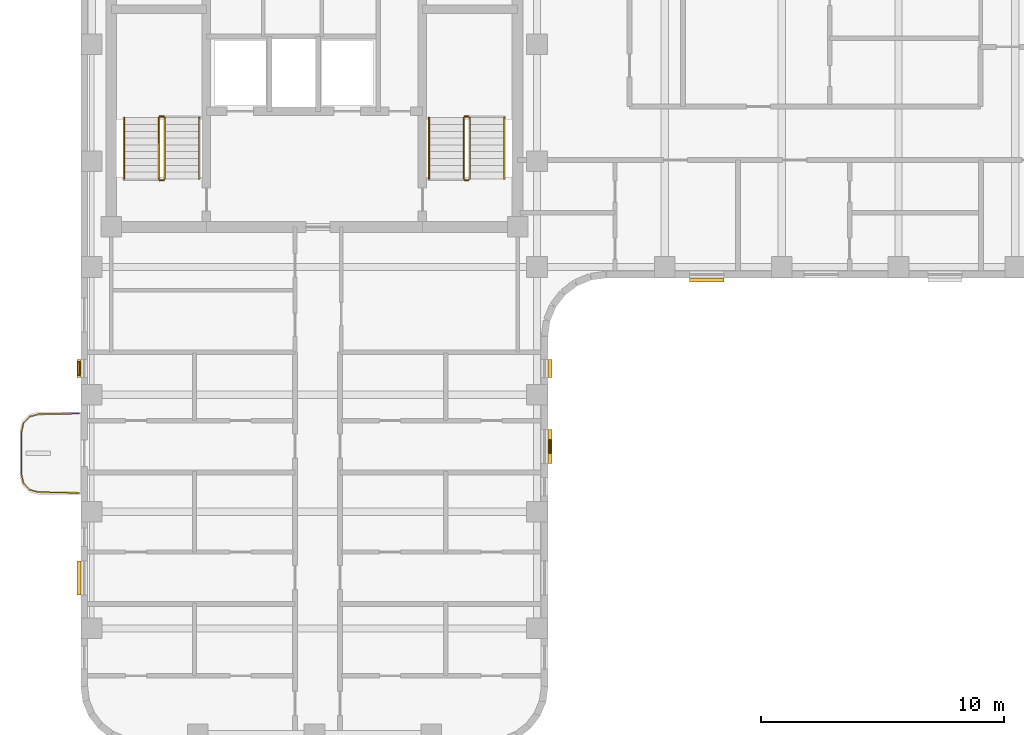
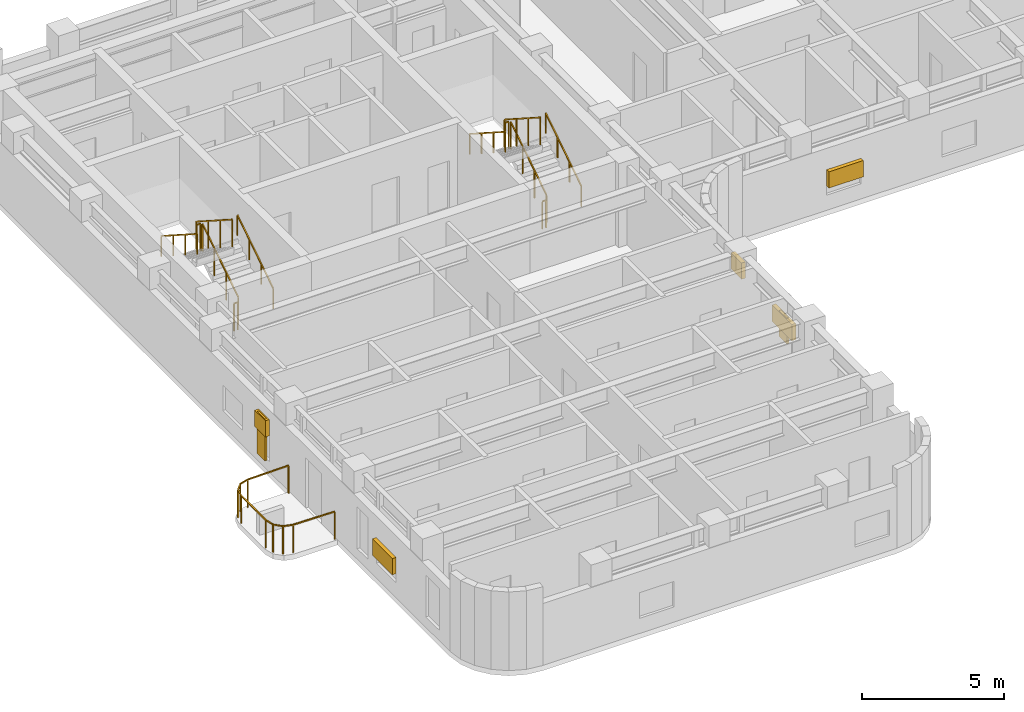
# One storey, part 8 of 10: 13 railings, 7 shading devices.
"""IFC4 building model written with IfcOpenShell, lengths in metres."""

from ifc_helpers import new_model, si_unit, direction, frame, origin, origin_2d, place, context, subcontext, project, spatial, rectangle, extrude, material, type_object, element, save


model = new_model("IFC4")

# Units and contexts
model_context = context("Model", 3, precision=1e-05, world=origin(), true_north=direction((0.0, 1.0)))
body_context = subcontext(model_context, "Body", "Model", "MODEL_VIEW")
ifc_project = project(units=[si_unit("LENGTHUNIT", "METRE"), si_unit("AREAUNIT", "SQUARE_METRE"), si_unit("VOLUMEUNIT", "CUBIC_METRE"), si_unit("PLANEANGLEUNIT", "RADIAN"), si_unit("MASSUNIT", "GRAM", prefix="KILO")], contexts=[model_context])

# Site, building, storey
site_placement = place(None, origin())
site = spatial("IfcSite", under=ifc_project, at=site_placement, CompositionType="ELEMENT")
building_placement = place(site_placement, origin())
building = spatial("IfcBuilding", under=site, at=building_placement, Name="Orvandelia Arch Residences", CompositionType="ELEMENT")
storey_placement = place(building_placement, frame((0.0, 0.0, 211.0)))
storey = spatial("IfcBuildingStorey", under=building, at=storey_placement, Name="L55", CompositionType="ELEMENT", Elevation=211.0)

# Railings
ifc_material_1 = material(Name="Marine-Grade Stainless Steel 316", Category="steel")
railing_type_1 = type_object("IfcRailingType", Name="GRD-BAL-1200", PredefinedType="BALUSTRADE", material=ifc_material_1)
railing_1_placement = place(storey_placement, frame((4.728271484375, 23.23046875, 0.0)))
element("IfcRailing", 1, at=railing_1_placement, inside=storey, type_object=railing_type_1, Name="Safety Balustrade Guard GRD-L55-BAL-L55-W1-1", PredefinedType="BALUSTRADE", context=body_context, shape_type="SweptSolid", body=[
    extrude(rectangle(XDim=0.048095703125, YDim=0.048095703125, at=origin_2d()), frame((0.0, 0.0, 1.19580078125), z_axis=(-0.999834751713, -0.018178813668, 0.0), x_axis=(0.018178813668, -0.999834751713, 0.0)), (0.0, 0.0, 1.0), 1.6787109375),
    extrude(rectangle(XDim=0.048095703125, YDim=0.048095703125, at=origin_2d()), frame((-1.678466796875, -0.030517578125, 1.19580078125), z_axis=(-0.96348920644, -0.267747173792, 0.0), x_axis=(0.267747173792, -0.96348920644, 0.0)), (0.0, 0.0, 1.0), 0.36572265625),
    extrude(rectangle(XDim=0.048095703125, YDim=0.048095703125, at=origin_2d()), frame((-2.03076171875, -0.12841796875, 1.19580078125), z_axis=(-0.688627404251, -0.725115368831, 0.0), x_axis=(0.725115368831, -0.688627404251, 0.0)), (0.0, 0.0, 1.0), 0.367919921875),
    extrude(rectangle(XDim=0.048095703125, YDim=0.048095703125, at=origin_2d()), frame((-2.2841796875, -0.395263671875, 1.19580078125), z_axis=(-0.220461657419, -0.975395641577, 0.0), x_axis=(0.975395641577, -0.220461657419, 0.0)), (0.0, 0.0, 1.0), 0.373291015625),
    extrude(rectangle(XDim=0.048095703125, YDim=0.048095703125, at=origin_2d()), frame((-2.366455078125, -0.75927734375, 1.19580078125), z_axis=(0.0, -1.0, 0.0), x_axis=(1.0, 0.0, 0.0)), (0.0, 0.0, 1.0), 1.742431640625),
    extrude(rectangle(XDim=0.048095703125, YDim=0.048095703125, at=origin_2d()), frame((-2.366455078125, -2.501708984375, 1.19580078125), z_axis=(0.220602419982, -0.975363815352, 0.0), x_axis=(0.975363815352, 0.220602419982, 0.0)), (0.0, 0.0, 1.0), 0.373046875),
    extrude(rectangle(XDim=0.048095703125, YDim=0.048095703125, at=origin_2d()), frame((-2.2841796875, -2.865478515625, 1.19580078125), z_axis=(0.688296224633, -0.725429739642, 0.0), x_axis=(0.725429739642, 0.688296224633, 0.0)), (0.0, 0.0, 1.0), 0.3681640625),
    extrude(rectangle(XDim=0.048095703125, YDim=0.048095703125, at=origin_2d()), frame((-2.03076171875, -3.132568359375, 1.19580078125), z_axis=(0.96348920644, -0.267747173792, 0.0), x_axis=(0.267747173792, 0.96348920644, 0.0)), (0.0, 0.0, 1.0), 0.36572265625),
    extrude(rectangle(XDim=0.048095703125, YDim=0.048095703125, at=origin_2d()), frame((-1.678466796875, -3.23046875, 1.19580078125), z_axis=(0.999834751713, -0.018178813668, 0.0), x_axis=(0.018178813668, 0.999834751713, 0.0)), (0.0, 0.0, 1.0), 1.6787109375),
    extrude(rectangle(XDim=0.0419921875, YDim=0.0419921875, at=origin_2d()), origin(), (0.0, 0.0, 1.0), 1.171875),
    extrude(rectangle(XDim=0.0419921875, YDim=0.0419921875, at=origin_2d()), frame((-1.678466796875, -0.030517578125, 0.0)), (0.0, 0.0, 1.0), 1.171875),
    extrude(rectangle(XDim=0.0419921875, YDim=0.0419921875, at=origin_2d()), frame((-2.03076171875, -0.12841796875, 0.0)), (0.0, 0.0, 1.0), 1.171875),
    extrude(rectangle(XDim=0.0419921875, YDim=0.0419921875, at=origin_2d()), frame((-2.2841796875, -0.395263671875, 0.0)), (0.0, 0.0, 1.0), 1.171875),
    extrude(rectangle(XDim=0.0419921875, YDim=0.0419921875, at=origin_2d()), frame((-2.366455078125, -0.75927734375, 0.0)), (0.0, 0.0, 1.0), 1.171875),
    extrude(rectangle(XDim=0.0419921875, YDim=0.0419921875, at=origin_2d()), frame((-2.366455078125, -2.501708984375, 0.0)), (0.0, 0.0, 1.0), 1.171875),
    extrude(rectangle(XDim=0.0419921875, YDim=0.0419921875, at=origin_2d()), frame((-2.2841796875, -2.865478515625, 0.0)), (0.0, 0.0, 1.0), 1.171875),
    extrude(rectangle(XDim=0.0419921875, YDim=0.0419921875, at=origin_2d()), frame((-2.03076171875, -3.132568359375, 0.0)), (0.0, 0.0, 1.0), 1.171875),
    extrude(rectangle(XDim=0.0419921875, YDim=0.0419921875, at=origin_2d()), frame((-1.678466796875, -3.23046875, 0.0)), (0.0, 0.0, 1.0), 1.171875),
    extrude(rectangle(XDim=0.0419921875, YDim=0.0419921875, at=origin_2d()), frame((0.0, -3.260986328125, 0.0)), (0.0, 0.0, 1.0), 1.171875),
])
ifc_material_2 = material(Name="Brushed Stainless Steel 304", Category="steel")
railing_type_2 = type_object("IfcRailingType", Name="RL-STAIR-GD1120", PredefinedType="GUARDRAIL", material=ifc_material_2)
railing_2_placement = place(storey_placement, frame((8.25, 32.8701171875, 0.179931640625)))
element("IfcRailing", 2, at=railing_2_placement, inside=storey, type_object=railing_type_2, Name="L55 ST-1 stair guard 1", PredefinedType="GUARDRAIL", context=body_context, shape_type="SweptSolid", body=[
    extrude(rectangle(XDim=0.048095703125, YDim=0.048095703125, at=origin_2d()), frame((0.0, 0.0, 1.17578125), z_axis=(0.0, 0.841138753965, 0.540819375188), x_axis=(-1.0, 0.0, 0.0)), (0.0, 0.0, 1.0), 2.99560546875),
    extrude(rectangle(XDim=0.0419921875, YDim=0.0419921875, at=origin_2d()), origin(), (0.0, 0.0, 1.0), 1.15185546875),
    extrude(rectangle(XDim=0.0419921875, YDim=0.0419921875, at=origin_2d()), frame((0.0, 0.83984375, 0.5400390625)), (0.0, 0.0, 1.0), 1.15185546875),
    extrude(rectangle(XDim=0.0419921875, YDim=0.0419921875, at=origin_2d()), frame((0.0, 1.679931640625, 1.080078125)), (0.0, 0.0, 1.0), 1.15185546875),
    extrude(rectangle(XDim=0.0419921875, YDim=0.0419921875, at=origin_2d()), frame((0.0, 2.519775390625, 1.6201171875)), (0.0, 0.0, 1.0), 1.15185546875),
])
railing_3_placement = place(storey_placement, frame((8.199951171875, 35.43994140625, 1.800048828125)))
element("IfcRailing", 3, at=railing_3_placement, inside=storey, type_object=railing_type_2, Name="L55 ST-1 stair guard 2", PredefinedType="GUARDRAIL", context=body_context, shape_type="SweptSolid", body=[
    extrude(rectangle(XDim=0.048095703125, YDim=0.048095703125, at=origin_2d()), frame((0.0, 0.0, 1.17578125), z_axis=(-1.0, 0.0, 0.0), x_axis=(0.0, -1.0, 0.0)), (0.0, 0.0, 1.0), 0.14990234375),
    extrude(rectangle(XDim=0.0419921875, YDim=0.0419921875, at=origin_2d()), origin(), (0.0, 0.0, 1.0), 1.15185546875),
    extrude(rectangle(XDim=0.0419921875, YDim=0.0419921875, at=origin_2d()), frame((-0.14990234375, 0.0, 0.0)), (0.0, 0.0, 1.0), 1.15185546875),
])
railing_4_placement = place(storey_placement, frame((8.0, 35.389892578125, 1.97998046875)))
element("IfcRailing", 4, at=railing_4_placement, inside=storey, type_object=railing_type_2, Name="L55 ST-1 stair guard 3", PredefinedType="GUARDRAIL", context=body_context, shape_type="SweptSolid", body=[
    extrude(rectangle(XDim=0.048095703125, YDim=0.048095703125, at=origin_2d()), frame((0.0, 0.0, 1.17578125), z_axis=(0.0, -0.841138753965, 0.540819375188), x_axis=(1.0, 0.0, 0.0)), (0.0, 0.0, 1.0), 2.99560546875),
    extrude(rectangle(XDim=0.0419921875, YDim=0.0419921875, at=origin_2d()), origin(), (0.0, 0.0, 1.0), 1.15185546875),
    extrude(rectangle(XDim=0.0419921875, YDim=0.0419921875, at=origin_2d()), frame((0.0, -0.83984375, 0.5400390625)), (0.0, 0.0, 1.0), 1.15185546875),
    extrude(rectangle(XDim=0.0419921875, YDim=0.0419921875, at=origin_2d()), frame((0.0, -1.679931640625, 1.080078125)), (0.0, 0.0, 1.0), 1.15185546875),
    extrude(rectangle(XDim=0.0419921875, YDim=0.0419921875, at=origin_2d()), frame((0.0, -2.519775390625, 1.6201171875)), (0.0, 0.0, 1.0), 1.15185546875),
])
railing_5_placement = place(storey_placement, frame((8.199951171875, 32.820068359375, 0.0)))
element("IfcRailing", 5, at=railing_5_placement, inside=storey, type_object=railing_type_2, Name="L55 ST-1 stair guard 4", PredefinedType="GUARDRAIL", context=body_context, shape_type="SweptSolid", body=[
    extrude(rectangle(XDim=0.048095703125, YDim=0.048095703125, at=origin_2d()), frame((0.0, 0.0, 1.17578125), z_axis=(-1.0, 0.0, 0.0), x_axis=(0.0, -1.0, 0.0)), (0.0, 0.0, 1.0), 0.14990234375),
    extrude(rectangle(XDim=0.0419921875, YDim=0.0419921875, at=origin_2d()), origin(), (0.0, 0.0, 1.0), 1.15185546875),
    extrude(rectangle(XDim=0.0419921875, YDim=0.0419921875, at=origin_2d()), frame((-0.14990234375, 0.0, 0.0)), (0.0, 0.0, 1.0), 1.15185546875),
])
railing_6_placement = place(storey_placement, frame((20.780029296875, 32.8701171875, 0.179931640625)))
element("IfcRailing", 6, at=railing_6_placement, inside=storey, type_object=railing_type_2, Name="L55 ST-2 stair guard 1", PredefinedType="GUARDRAIL", context=body_context, shape_type="SweptSolid", body=[
    extrude(rectangle(XDim=0.048095703125, YDim=0.048095703125, at=origin_2d()), frame((0.0, 0.0, 1.17578125), z_axis=(0.0, 0.841138753965, 0.540819375188), x_axis=(-1.0, 0.0, 0.0)), (0.0, 0.0, 1.0), 2.99560546875),
    extrude(rectangle(XDim=0.0419921875, YDim=0.0419921875, at=origin_2d()), origin(), (0.0, 0.0, 1.0), 1.15185546875),
    extrude(rectangle(XDim=0.0419921875, YDim=0.0419921875, at=origin_2d()), frame((0.0, 0.83984375, 0.5400390625)), (0.0, 0.0, 1.0), 1.15185546875),
    extrude(rectangle(XDim=0.0419921875, YDim=0.0419921875, at=origin_2d()), frame((0.0, 1.679931640625, 1.080078125)), (0.0, 0.0, 1.0), 1.15185546875),
    extrude(rectangle(XDim=0.0419921875, YDim=0.0419921875, at=origin_2d()), frame((0.0, 2.519775390625, 1.6201171875)), (0.0, 0.0, 1.0), 1.15185546875),
])
railing_7_placement = place(storey_placement, frame((20.72998046875, 35.43994140625, 1.800048828125)))
element("IfcRailing", 7, at=railing_7_placement, inside=storey, type_object=railing_type_2, Name="L55 ST-2 stair guard 2", PredefinedType="GUARDRAIL", context=body_context, shape_type="SweptSolid", body=[
    extrude(rectangle(XDim=0.048095703125, YDim=0.048095703125, at=origin_2d()), frame((0.0, 0.0, 1.17578125), z_axis=(-1.0, 0.0, 0.0), x_axis=(0.0, -1.0, 0.0)), (0.0, 0.0, 1.0), 0.14990234375),
    extrude(rectangle(XDim=0.0419921875, YDim=0.0419921875, at=origin_2d()), origin(), (0.0, 0.0, 1.0), 1.15185546875),
    extrude(rectangle(XDim=0.0419921875, YDim=0.0419921875, at=origin_2d()), frame((-0.14990234375, 0.0, 0.0)), (0.0, 0.0, 1.0), 1.15185546875),
])
railing_8_placement = place(storey_placement, frame((20.530029296875, 35.389892578125, 1.97998046875)))
element("IfcRailing", 8, at=railing_8_placement, inside=storey, type_object=railing_type_2, Name="L55 ST-2 stair guard 3", PredefinedType="GUARDRAIL", context=body_context, shape_type="SweptSolid", body=[
    extrude(rectangle(XDim=0.048095703125, YDim=0.048095703125, at=origin_2d()), frame((0.0, 0.0, 1.17578125), z_axis=(0.0, -0.841138753965, 0.540819375188), x_axis=(1.0, 0.0, 0.0)), (0.0, 0.0, 1.0), 2.99560546875),
    extrude(rectangle(XDim=0.0419921875, YDim=0.0419921875, at=origin_2d()), origin(), (0.0, 0.0, 1.0), 1.15185546875),
    extrude(rectangle(XDim=0.0419921875, YDim=0.0419921875, at=origin_2d()), frame((0.0, -0.83984375, 0.5400390625)), (0.0, 0.0, 1.0), 1.15185546875),
    extrude(rectangle(XDim=0.0419921875, YDim=0.0419921875, at=origin_2d()), frame((0.0, -1.679931640625, 1.080078125)), (0.0, 0.0, 1.0), 1.15185546875),
    extrude(rectangle(XDim=0.0419921875, YDim=0.0419921875, at=origin_2d()), frame((0.0, -2.519775390625, 1.6201171875)), (0.0, 0.0, 1.0), 1.15185546875),
])
railing_9_placement = place(storey_placement, frame((20.72998046875, 32.820068359375, 0.0)))
element("IfcRailing", 9, at=railing_9_placement, inside=storey, type_object=railing_type_2, Name="L55 ST-2 stair guard 4", PredefinedType="GUARDRAIL", context=body_context, shape_type="SweptSolid", body=[
    extrude(rectangle(XDim=0.048095703125, YDim=0.048095703125, at=origin_2d()), frame((0.0, 0.0, 1.17578125), z_axis=(-1.0, 0.0, 0.0), x_axis=(0.0, -1.0, 0.0)), (0.0, 0.0, 1.0), 0.14990234375),
    extrude(rectangle(XDim=0.0419921875, YDim=0.0419921875, at=origin_2d()), origin(), (0.0, 0.0, 1.0), 1.15185546875),
    extrude(rectangle(XDim=0.0419921875, YDim=0.0419921875, at=origin_2d()), frame((-0.14990234375, 0.0, 0.0)), (0.0, 0.0, 1.0), 1.15185546875),
])
railing_type_3 = type_object("IfcRailingType", Name="RL-STAIR-HR920", PredefinedType="HANDRAIL", material=ifc_material_2)
railing_10_placement = place(storey_placement, frame((9.669921875, 32.8701171875, 0.360107421875)))
element("IfcRailing", 10, at=railing_10_placement, inside=storey, type_object=railing_type_3, Name="L55 ST-1 stair handrail 1", PredefinedType="HANDRAIL", context=body_context, shape_type="SweptSolid", body=[
    extrude(rectangle(XDim=0.048095703125, YDim=0.048095703125, at=origin_2d()), frame((0.0, 0.0, 0.8759765625), z_axis=(0.0, 0.841175827307, 0.540761710511), x_axis=(-1.0, 0.0, 0.0)), (0.0, 0.0, 1.0), 2.99560546875),
    extrude(rectangle(XDim=0.0419921875, YDim=0.0419921875, at=origin_2d()), origin(), (0.0, 0.0, 1.0), 0.851806640625),
    extrude(rectangle(XDim=0.0419921875, YDim=0.0419921875, at=origin_2d()), frame((0.0, 0.83984375, 0.5400390625)), (0.0, 0.0, 1.0), 0.851806640625),
    extrude(rectangle(XDim=0.0419921875, YDim=0.0419921875, at=origin_2d()), frame((0.0, 1.679931640625, 1.079833984375)), (0.0, 0.0, 1.0), 0.851806640625),
    extrude(rectangle(XDim=0.0419921875, YDim=0.0419921875, at=origin_2d()), frame((0.0, 2.519775390625, 1.619873046875)), (0.0, 0.0, 1.0), 0.851806640625),
])
railing_11_placement = place(storey_placement, frame((6.580078125, 35.389892578125, 2.159912109375)))
element("IfcRailing", 11, at=railing_11_placement, inside=storey, type_object=railing_type_3, Name="L55 ST-1 stair handrail 2", PredefinedType="HANDRAIL", context=body_context, shape_type="SweptSolid", body=[
    extrude(rectangle(XDim=0.048095703125, YDim=0.048095703125, at=origin_2d()), frame((0.0, 0.0, 0.8759765625), z_axis=(0.0, -0.841138753965, 0.540819375188), x_axis=(1.0, 0.0, 0.0)), (0.0, 0.0, 1.0), 2.99560546875),
    extrude(rectangle(XDim=0.0419921875, YDim=0.0419921875, at=origin_2d()), origin(), (0.0, 0.0, 1.0), 0.851806640625),
    extrude(rectangle(XDim=0.0419921875, YDim=0.0419921875, at=origin_2d()), frame((0.0, -0.83984375, 0.5400390625)), (0.0, 0.0, 1.0), 0.851806640625),
    extrude(rectangle(XDim=0.0419921875, YDim=0.0419921875, at=origin_2d()), frame((0.0, -1.679931640625, 1.080078125)), (0.0, 0.0, 1.0), 0.851806640625),
    extrude(rectangle(XDim=0.0419921875, YDim=0.0419921875, at=origin_2d()), frame((0.0, -2.519775390625, 1.6201171875)), (0.0, 0.0, 1.0), 0.851806640625),
])
railing_12_placement = place(storey_placement, frame((22.199951171875, 32.8701171875, 0.360107421875)))
element("IfcRailing", 12, at=railing_12_placement, inside=storey, type_object=railing_type_3, Name="L55 ST-2 stair handrail 1", PredefinedType="HANDRAIL", context=body_context, shape_type="SweptSolid", body=[
    extrude(rectangle(XDim=0.048095703125, YDim=0.048095703125, at=origin_2d()), frame((0.0, 0.0, 0.8759765625), z_axis=(0.0, 0.841175827307, 0.540761710511), x_axis=(-1.0, 0.0, 0.0)), (0.0, 0.0, 1.0), 2.99560546875),
    extrude(rectangle(XDim=0.0419921875, YDim=0.0419921875, at=origin_2d()), origin(), (0.0, 0.0, 1.0), 0.851806640625),
    extrude(rectangle(XDim=0.0419921875, YDim=0.0419921875, at=origin_2d()), frame((0.0, 0.83984375, 0.5400390625)), (0.0, 0.0, 1.0), 0.851806640625),
    extrude(rectangle(XDim=0.0419921875, YDim=0.0419921875, at=origin_2d()), frame((0.0, 1.679931640625, 1.079833984375)), (0.0, 0.0, 1.0), 0.851806640625),
    extrude(rectangle(XDim=0.0419921875, YDim=0.0419921875, at=origin_2d()), frame((0.0, 2.519775390625, 1.619873046875)), (0.0, 0.0, 1.0), 0.851806640625),
])
railing_13_placement = place(storey_placement, frame((19.110107421875, 35.389892578125, 2.159912109375)))
element("IfcRailing", 13, at=railing_13_placement, inside=storey, type_object=railing_type_3, Name="L55 ST-2 stair handrail 2", PredefinedType="HANDRAIL", context=body_context, shape_type="SweptSolid", body=[
    extrude(rectangle(XDim=0.048095703125, YDim=0.048095703125, at=origin_2d()), frame((0.0, 0.0, 0.8759765625), z_axis=(0.0, -0.841138753965, 0.540819375188), x_axis=(1.0, 0.0, 0.0)), (0.0, 0.0, 1.0), 2.99560546875),
    extrude(rectangle(XDim=0.0419921875, YDim=0.0419921875, at=origin_2d()), origin(), (0.0, 0.0, 1.0), 0.851806640625),
    extrude(rectangle(XDim=0.0419921875, YDim=0.0419921875, at=origin_2d()), frame((0.0, -0.83984375, 0.5400390625)), (0.0, 0.0, 1.0), 0.851806640625),
    extrude(rectangle(XDim=0.0419921875, YDim=0.0419921875, at=origin_2d()), frame((0.0, -1.679931640625, 1.080078125)), (0.0, 0.0, 1.0), 0.851806640625),
    extrude(rectangle(XDim=0.0419921875, YDim=0.0419921875, at=origin_2d()), frame((0.0, -2.519775390625, 1.6201171875)), (0.0, 0.0, 1.0), 0.851806640625),
])

# Shading devices
ifc_material_3 = material(Name="Anodised Champagne-Bronze Extruded Aluminium", Category="aluminium")
shading_device_type_1 = type_object("IfcShadingDeviceType", Name="SHD-JALOUSIE-SCREEN", PredefinedType="JALOUSIE", material=ifc_material_3)
for number, where, z_axis, x_axis, name in (
    (14, (30.5224609375, 28.719970703125, 1.0498046875), (0.0, 0.0, 1.0), (-1.0, 0.0, 0.0), "Bronze Jalousie Sun-Shade L55-004"),
    (15, (24.080078125, 21.8701171875, 1.0498046875), (0.0, 0.0, 1.0), (0.0, -1.0, 0.0), "Bronze Jalousie Sun-Shade L55-006"),
):
    element("IfcShadingDevice", number, at=place(storey_placement, frame(where, z_axis=z_axis, x_axis=x_axis)), inside=storey, type_object=shading_device_type_1, Name=name, PredefinedType="JALOUSIE", context=body_context, shape_type="SweptSolid", body=[
        extrude(rectangle(XDim=1.39990234375, YDim=0.159912109375, at=origin_2d()), origin(), (0.0, 0.0, 1.0), 0.699951171875),
    ])
shading_device_1_placement = place(storey_placement, frame((24.080078125, 25.08251953125, 1.5498046875), z_axis=(0.0, 0.0, 1.0), x_axis=(0.0, -1.0, 0.0)))
element("IfcShadingDevice", 16, at=shading_device_1_placement, inside=storey, type_object=shading_device_type_1, Name="Bronze Jalousie Sun-Shade L55-007", PredefinedType="JALOUSIE", context=body_context, shape_type="SweptSolid", body=[
    extrude(rectangle(XDim=0.75, YDim=0.159912109375, at=origin_2d()), origin(), (0.0, 0.0, 1.0), 0.699951171875),
])
shading_device_2_placement = place(storey_placement, frame((4.719970703125, 16.469970703125, 1.0498046875), z_axis=(0.0, 0.0, 1.0), x_axis=(0.0, 1.0, 0.0)))
element("IfcShadingDevice", 17, at=shading_device_2_placement, inside=storey, type_object=shading_device_type_1, Name="Bronze Jalousie Sun-Shade L55-008", PredefinedType="JALOUSIE", context=body_context, shape_type="SweptSolid", body=[
    extrude(rectangle(XDim=1.39990234375, YDim=0.159912109375, at=origin_2d()), origin(), (0.0, 0.0, 1.0), 0.699951171875),
])
shading_device_3_placement = place(storey_placement, frame((4.719970703125, 25.08251953125, 1.5498046875), z_axis=(0.0, 0.0, 1.0), x_axis=(0.0, 1.0, 0.0)))
element("IfcShadingDevice", 18, at=shading_device_3_placement, inside=storey, type_object=shading_device_type_1, Name="Bronze Jalousie Sun-Shade L55-009", PredefinedType="JALOUSIE", context=body_context, shape_type="SweptSolid", body=[
    extrude(rectangle(XDim=0.75, YDim=0.159912109375, at=origin_2d()), origin(), (0.0, 0.0, 1.0), 0.699951171875),
])
ifc_material_4 = material(Name="Marine-Grade Perforated Aluminium Storm Shutter", Category="aluminium")
shading_device_type_2 = type_object("IfcShadingDeviceType", Name="SHD-STORM-SHUTTER", PredefinedType="SHUTTER", material=ifc_material_4)
shading_device_4_placement = place(storey_placement, frame((24.080078125, 21.8701171875, 0.64990234375), z_axis=(0.0, 0.0, 1.0), x_axis=(0.0, -1.0, 0.0)))
element("IfcShadingDevice", 19, at=shading_device_4_placement, inside=storey, type_object=shading_device_type_2, Name="Operable Typhoon Storm Shutter L55-006", PredefinedType="SHUTTER", context=body_context, shape_type="SweptSolid", body=[
    extrude(rectangle(XDim=0.550048828125, YDim=0.080078125, at=origin_2d()), origin(), (0.0, 0.0, 1.0), 1.10009765625),
])
shading_device_5_placement = place(storey_placement, frame((4.719970703125, 25.08251953125, 0.4501953125), z_axis=(0.0, 0.0, 1.0), x_axis=(0.0, 1.0, 0.0)))
element("IfcShadingDevice", 20, at=shading_device_5_placement, inside=storey, type_object=shading_device_type_2, Name="Operable Typhoon Storm Shutter L55-009", PredefinedType="SHUTTER", context=body_context, shape_type="SweptSolid", body=[
    extrude(rectangle(XDim=0.550048828125, YDim=0.080078125, at=origin_2d()), origin(), (0.0, 0.0, 1.0), 1.800048828125),
])

save(model, "model.ifc")
